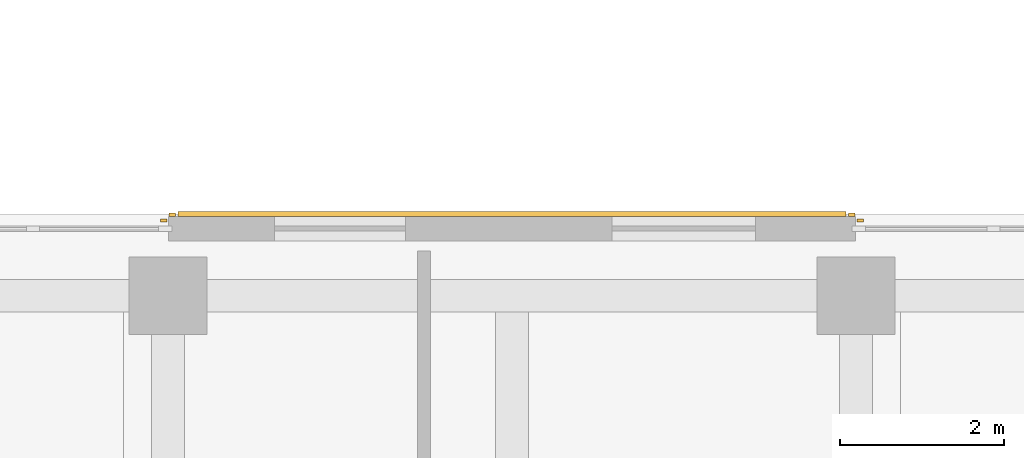
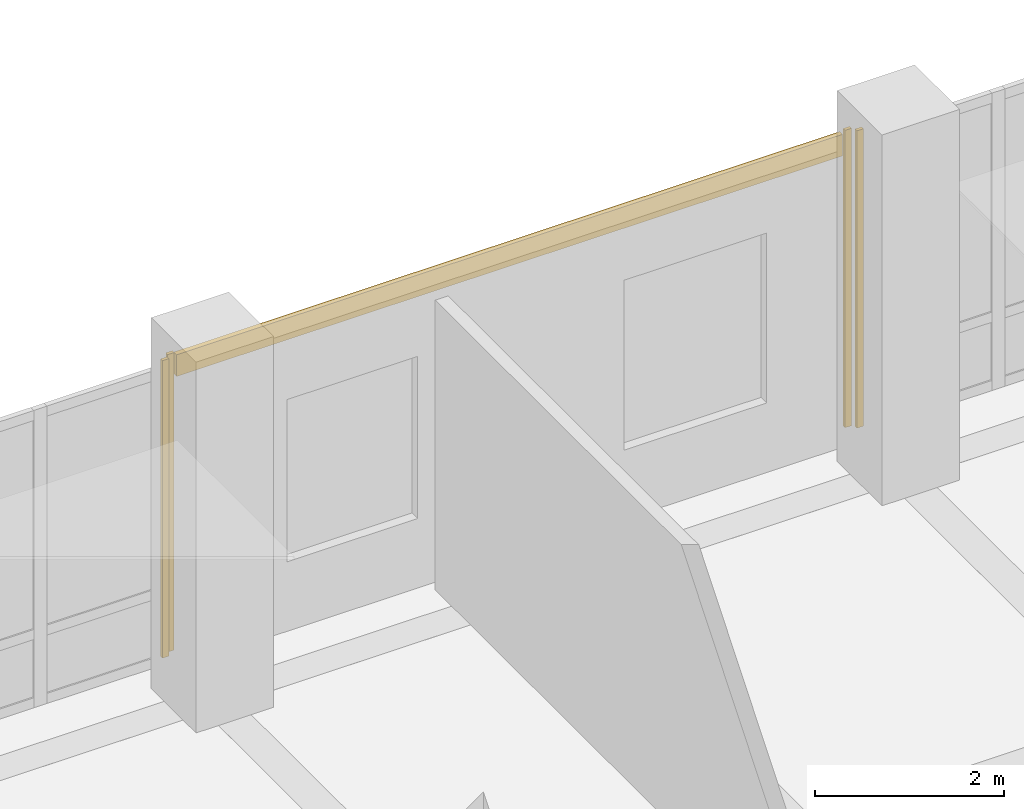
# One storey, part 108 of 122: 5 coverings.
"""IFC4 building model written with IfcOpenShell, lengths in metres."""

import ifcopenshell
import ifcopenshell.guid

model = None  # the IFC model being written
_history = None  # IfcOwnerHistory: only IFC2X3 demands one
_inside = {}  # id of a spatial element -> (the spatial element, [elements in it])
_under = {}  # id of a project, library or spatial element -> (it, [spatial elements below it])
_declared = {}  # id of a project -> (the project, [libraries it declares])
_typed = {}  # id of a type object -> (the type object, [elements of that type])
_made_of = {}  # id of a material, layer set ... -> (it, [elements and type objects made of it])


def new_model(schema):
    """Start an empty IFC model of exactly this schema.

    Asked for "IFC4X3", IfcOpenShell would pick the latest addendum, in which some entities
    have other attributes; the version numbers below select the first issue.
    IFC2X3 requires an IfcOwnerHistory on every rooted entity: one is made here for all.
    """
    global model, _history
    if schema == "IFC4X3":
        model = ifcopenshell.file(schema_version=(4, 3, 0, 0))
    else:
        model = ifcopenshell.file(schema=schema)
    _inside.clear()
    _under.clear()
    _declared.clear()
    _typed.clear()
    _made_of.clear()
    _history = None
    if model.schema == "IFC2X3":
        org = make("IfcOrganization", Name="unknown")
        user = make(
            "IfcPersonAndOrganization",
            ThePerson=make("IfcPerson", FamilyName="unknown"),
            TheOrganization=org,
        )
        app = make(
            "IfcApplication",
            ApplicationDeveloper=org,
            Version="unknown",
            ApplicationFullName="unknown",
            ApplicationIdentifier="unknown",
        )
        _history = make(
            "IfcOwnerHistory",
            OwningUser=user,
            OwningApplication=app,
            ChangeAction="ADDED",
            CreationDate=0,
        )
    return model


def make(cls, **values):
    """One entity of the class cls with the attributes given. An attribute that is None is left unset."""
    return model.create_entity(
        cls, **{name: value for name, value in values.items() if value is not None}
    )


def rooted(cls, **values):
    """An entity with a GlobalId (a new one), such as an element, a storey or a relation."""
    return make(cls, GlobalId=ifcopenshell.guid.new(), OwnerHistory=_history, **values)


def si_unit(unit_type, name, prefix=None):
    """IfcSIUnit, for example si_unit("LENGTHUNIT", "METRE", prefix="MILLI")."""
    return make("IfcSIUnit", UnitType=unit_type, Prefix=prefix, Name=name)


def assignment(units):
    """IfcUnitAssignment: the units of a project."""
    return None if units is None else make("IfcUnitAssignment", Units=units)


def point(xyz):
    """IfcCartesianPoint."""
    return None if xyz is None else make("IfcCartesianPoint", Coordinates=xyz)


def direction(xyz):
    """IfcDirection."""
    return None if xyz is None else make("IfcDirection", DirectionRatios=xyz)


def frame(location, z_axis=None, x_axis=None):
    """IfcAxis2Placement3D, a coordinate frame: its origin and axes. An axis left out is left unset."""
    return make(
        "IfcAxis2Placement3D",
        Location=point(location),
        Axis=direction(z_axis),
        RefDirection=direction(x_axis),
    )


def frame_2d(location, x_axis=None):
    """IfcAxis2Placement2D, a coordinate frame in the plane: its origin and x axis."""
    return make(
        "IfcAxis2Placement2D", Location=point(location), RefDirection=direction(x_axis)
    )


def origin():
    """The frame at (0, 0, 0) with its axes left unset."""
    return frame((0.0, 0.0, 0.0))


def origin_2d():
    """The frame at (0, 0) in the plane with its x axis left unset."""
    return frame_2d((0.0, 0.0))


def place(relative_to, where):
    """IfcLocalPlacement: puts the frame where relative to a parent placement (None: the world)."""
    return make(
        "IfcLocalPlacement", PlacementRelTo=relative_to, RelativePlacement=where
    )


def context(
    kind, dimensions, precision=None, world=None, true_north=None, identifier=None
):
    """IfcGeometricRepresentationContext, for example the 3D "Model" context."""
    return make(
        "IfcGeometricRepresentationContext",
        ContextIdentifier=identifier,
        ContextType=kind,
        CoordinateSpaceDimension=dimensions,
        Precision=precision,
        WorldCoordinateSystem=world,
        TrueNorth=true_north,
    )


def subcontext(parent, identifier, kind, view, scale=None):
    """IfcGeometricRepresentationSubContext, for example "Body" below "Model"."""
    return make(
        "IfcGeometricRepresentationSubContext",
        ContextIdentifier=identifier,
        ContextType=kind,
        ParentContext=parent,
        TargetScale=scale,
        TargetView=view,
    )


def project(units=None, contexts=None):
    """IfcProject with its units and contexts."""
    return rooted(
        "IfcProject",
        Name="project",
        RepresentationContexts=contexts,
        UnitsInContext=assignment(units),
    )


def spatial(cls, under=None, at=None, **own):
    """A site, building, storey or space (cls), placed at a placement, below another one or the project."""
    s = rooted(cls, ObjectPlacement=at, **own)
    if under is not None:
        _under.setdefault(under.id(), (under, []))[1].append(s)
    return s


def profile(cls, at=None, kind="AREA", **sizes):
    """A parametric profile (cls). Its sizes go by their IFC names, for example OverallWidth=200.0."""
    return make(cls, ProfileType=kind, Position=at, **sizes)


def rectangle(**sizes):
    """IfcRectangleProfileDef."""
    return profile("IfcRectangleProfileDef", **sizes)


def extrude(swept, where, along, depth):
    """IfcExtrudedAreaSolid: the profile swept, set in the frame where, extruded along a direction by depth."""
    return make(
        "IfcExtrudedAreaSolid",
        SweptArea=swept,
        Position=where,
        ExtrudedDirection=direction(along),
        Depth=depth,
    )


def shape(context_of_items, identifier, shape_type, items):
    """IfcShapeRepresentation: the items that make up one representation, for example the "Body"."""
    return make(
        "IfcShapeRepresentation",
        ContextOfItems=context_of_items,
        RepresentationIdentifier=identifier,
        RepresentationType=shape_type,
        Items=items,
    )


def material(Name=None, Category=None):
    """IfcMaterial."""
    return make("IfcMaterial", Name=Name, Category=Category)


def layer(
    of_material, thickness, ventilated=None, Name=None, Category=None, Priority=None
):
    """IfcMaterialLayer: one layer of a wall or slab, of a material (None: an air gap)."""
    return make(
        "IfcMaterialLayer",
        Material=of_material,
        LayerThickness=thickness,
        IsVentilated=ventilated,
        Name=Name,
        Category=Category,
        Priority=Priority,
    )


def layer_set(layers, Name=None):
    """IfcMaterialLayerSet."""
    return make("IfcMaterialLayerSet", MaterialLayers=layers, LayerSetName=Name)


def made_of(thing, what):
    """Note that an element or type object is made of a material, layer set ...; save() writes the relation."""
    if what is not None:
        _made_of.setdefault(what.id(), (what, []))[1].append(thing)
    return thing


def type_object(cls, material=None, **own):
    """A type object (cls), such as IfcWallType, which elements share."""
    return made_of(rooted(cls, **own), material)


def element(
    cls,
    number,
    at=None,
    inside=None,
    cuts=None,
    type_object=None,
    material=None,
    context=None,
    identifier="Body",
    shape_type=None,
    held_by="IfcProductDefinitionShape",
    body=None,
    shapes=None,
    **own,
):
    """One element of the class cls, such as IfcWall. Its Tag is "e" and its number.

    at: its placement. inside: the storey or other place that contains it. cuts: it is an
    opening in that element (IfcRelVoidsElement). A single representation is given by context,
    identifier, shape_type and body (its items); several are given by shapes. held_by: the class
    of the entity that holds the representations. save() writes the other relations.
    """
    e = rooted(cls, Tag="e%d" % number, ObjectPlacement=at, **own)
    if body is not None:
        shapes = [shape(context, identifier, shape_type, body)]
    if shapes is not None:
        e.Representation = make(held_by, Representations=shapes)
    if inside is not None:
        _inside.setdefault(inside.id(), (inside, []))[1].append(e)
    if cuts is not None:
        rooted(
            "IfcRelVoidsElement", RelatingBuildingElement=cuts, RelatedOpeningElement=e
        )
    if type_object is not None:
        _typed.setdefault(type_object.id(), (type_object, []))[1].append(e)
    return made_of(e, material)


def aggregate(whole, parts):
    """IfcRelAggregates: a whole, such as a stair, and the parts it consists of."""
    return rooted("IfcRelAggregates", RelatingObject=whole, RelatedObjects=parts)


def save(model, path):
    """Write the relations noted so far, then the file.

    IfcRelAggregates (storeys below a building ...), IfcRelContainedInSpatialStructure (elements
    in a storey), IfcRelDefinesByType, IfcRelAssociatesMaterial and IfcRelDeclares: one each for
    every whole, place, type object, material and project.
    """
    for whole, parts in _under.values():
        aggregate(whole, parts)
    for where, things in _inside.values():
        rooted(
            "IfcRelContainedInSpatialStructure",
            RelatedElements=things,
            RelatingStructure=where,
        )
    for kind, things in _typed.values():
        rooted("IfcRelDefinesByType", RelatedObjects=things, RelatingType=kind)
    for what, things in _made_of.values():
        rooted("IfcRelAssociatesMaterial", RelatedObjects=things, RelatingMaterial=what)
    for by, libraries in _declared.values():
        rooted("IfcRelDeclares", RelatingContext=by, RelatedDefinitions=libraries)
    model.write(path)


model = new_model("IFC4")

# Units and contexts
model_context = context("Model", 3, precision=1e-05, world=origin(), true_north=direction((0.0, 1.0)))
body_context = subcontext(model_context, "Body", "Model", "MODEL_VIEW")
ifc_project = project(units=[si_unit("LENGTHUNIT", "METRE"), si_unit("AREAUNIT", "SQUARE_METRE"), si_unit("VOLUMEUNIT", "CUBIC_METRE"), si_unit("PLANEANGLEUNIT", "RADIAN"), si_unit("MASSUNIT", "GRAM", prefix="KILO")], contexts=[model_context])

# Site, building, storey
site_placement = place(None, origin())
site = spatial("IfcSite", under=ifc_project, at=site_placement, CompositionType="ELEMENT")
building_placement = place(site_placement, origin())
building = spatial("IfcBuilding", under=site, at=building_placement, Name="Telukmera Botanical Conservatory", CompositionType="ELEMENT")
storey_placement = place(building_placement, frame((0.0, 0.0, 10.199951171875)))
storey = spatial("IfcBuildingStorey", under=building, at=storey_placement, Name="L02", CompositionType="ELEMENT", Elevation=10.199951171875)

# Coverings
ifc_material_1 = material(Name="Granite-faced precast concrete C40/50", Category="masonry")
ifc_layer_1 = layer(ifc_material_1, 0.0400390625)
ifc_layer_set_1 = layer_set([ifc_layer_1], Name="Granite-faced precast concrete C40/50")
covering_type_1 = type_object("IfcCoveringType", Name="Granite Precast Column Pier Reveal Casing", PredefinedType="CLADDING", material=ifc_layer_set_1)
for number, where, z_axis, x_axis, name in (
    (1, (58.748046875, 49.1201171875, 0.0), (0.0, 0.0, 1.0), (1.0, 0.0, 0.0), "Granite Pier Reveal V4:L02:N1 R"),
    (2, (58.85205078125, 49.18994140625, 0.0), (0.0, 0.0, 1.0), (1.0, 0.0, 0.0), "Granite Pier Reveal V4:L02:N2 L"),
    (3, (67.14794921875, 49.18994140625, 0.0), (0.0, 0.0, 1.0), (1.0, 0.0, 0.0), "Granite Pier Reveal V4:L02:N2 R"),
    (4, (67.251953125, 49.1201171875, 0.0), (0.0, 0.0, 1.0), (1.0, 0.0, 0.0), "Granite Pier Reveal V4:L02:N3 L"),
):
    element("IfcCovering", number, at=place(storey_placement, frame(where, z_axis=z_axis, x_axis=x_axis)), inside=storey, type_object=covering_type_1, Name=name, PredefinedType="CLADDING", context=body_context, shape_type="SweptSolid", body=[
        extrude(rectangle(XDim=0.080078125, YDim=0.0400390625, at=origin_2d()), origin(), (0.0, 0.0, 1.0), 3.85009765625),
    ])
ifc_material_2 = material(Name="Terracotta-faced precast concrete C40/50", Category="masonry")
ifc_layer_2 = layer(ifc_material_2, 0.06005859375)
ifc_layer_set_2 = layer_set([ifc_layer_2], Name="Terracotta-faced precast concrete C40/50")
covering_type_2 = type_object("IfcCoveringType", Name="Polychrome Terracotta Facade Band Cladding", PredefinedType="CLADDING", material=ifc_layer_set_2)
covering_placement = place(storey_placement, frame((63.0, 49.199951171875, 3.5302734375), z_axis=(0.0, 0.0, 1.0), x_axis=(1.0, 0.0, 0.0)))
element("IfcCovering", 5, at=covering_placement, inside=storey, type_object=covering_type_2, Name="Polychrome Terracotta Band V4:L02:N2", PredefinedType="CLADDING", context=body_context, shape_type="SweptSolid", body=[
    extrude(rectangle(XDim=8.156005859375, YDim=0.06005859375, at=origin_2d()), origin(), (0.0, 0.0, 1.0), 0.280029296875),
])

save(model, "model.ifc")
